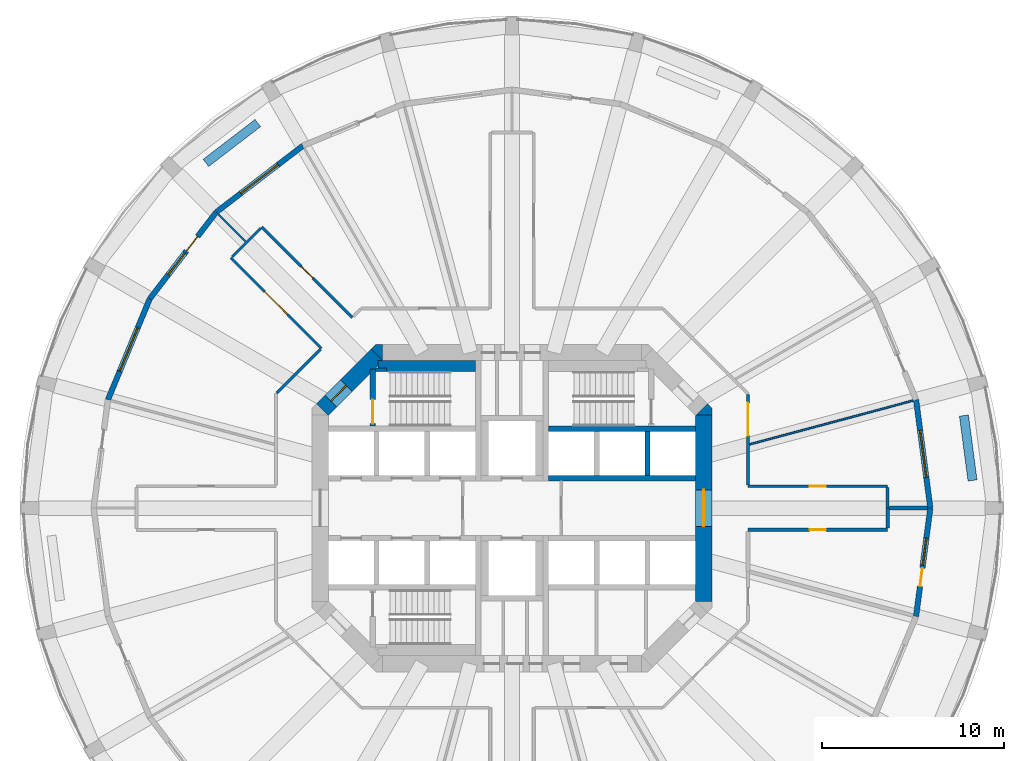
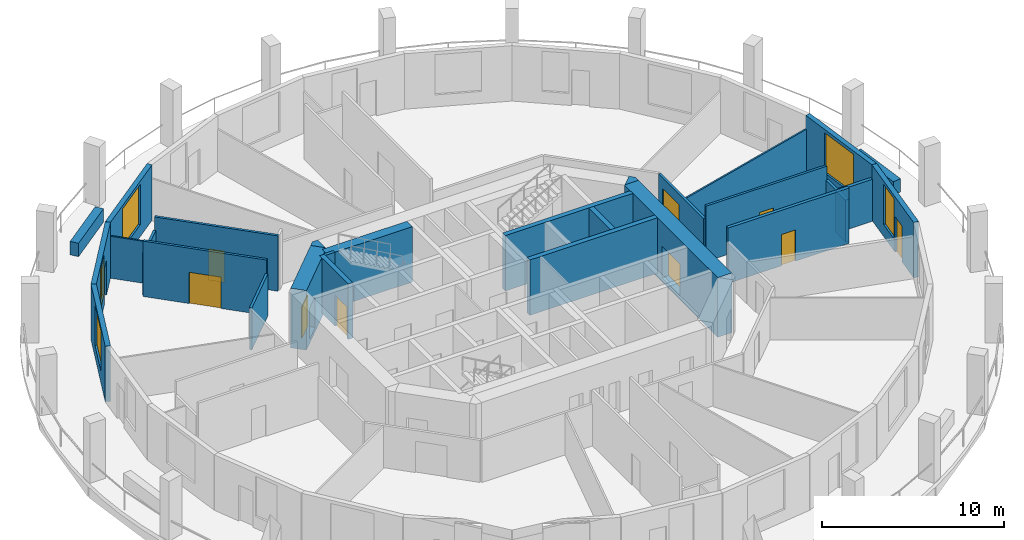
# One storey, part 5 of 9: 29 walls, 10 doors, 5 windows, 15 openings.
"""IFC4 building model written with IfcOpenShell, lengths in metres."""

from ifc_helpers import new_model, si_unit, direction, frame, frame_2d, origin, place, context, subcontext, project, spatial, polyline, rectangle, outline, extrude, material, layer, layer_set, type_object, element, fill, save


model = new_model("IFC4")

# Units and contexts
model_context = context("Model", 3, precision=1e-05, world=origin(), true_north=direction((0.0, 1.0)))
body_context = subcontext(model_context, "Body", "Model", "MODEL_VIEW")
ifc_project = project(units=[si_unit("LENGTHUNIT", "METRE"), si_unit("AREAUNIT", "SQUARE_METRE"), si_unit("VOLUMEUNIT", "CUBIC_METRE"), si_unit("PLANEANGLEUNIT", "RADIAN"), si_unit("MASSUNIT", "GRAM", prefix="KILO")], contexts=[model_context])

# Site, building, storey
site_placement = place(None, origin())
site = spatial("IfcSite", under=ifc_project, at=site_placement, CompositionType="ELEMENT")
building_placement = place(site_placement, origin())
building = spatial("IfcBuilding", under=site, at=building_placement, Name="Torre Triforio", CompositionType="ELEMENT")
storey_placement = place(building_placement, frame((0.0, 0.0, 75.0)))
storey = spatial("IfcBuildingStorey", under=building, at=storey_placement, Name="L16", CompositionType="ELEMENT", Elevation=75.0)

# Wall, opening, door
ifc_material_1 = material(Name="Concrete C60", Category="concrete")
ifc_layer_1 = layer(ifc_material_1, 0.89990234375)
ifc_layer_set_1 = layer_set([ifc_layer_1], Name="Concrete C60")
wall_type_1 = type_object("IfcWallType", Name="Core wall 900 mm C60 EI 120", PredefinedType="SHEAR", material=ifc_layer_set_1)
wall_1_placement = place(storey_placement, frame((10.550048828125, -5.1298828125, -0.280029296875), z_axis=(0.0, 0.0, 1.0), x_axis=(0.0, 1.0, 0.0)))
wall_1 = element("IfcWall", 1, at=wall_1_placement, inside=storey, type_object=wall_type_1, Name="Core wall", PredefinedType="SHEAR", context=body_context, shape_type="SweptSolid", body=[
    extrude(rectangle(XDim=10.259765625, YDim=0.89990234375, at=frame_2d((5.1298828125, 0.0))), origin(), (0.0, 0.0, 1.0), 4.0),
])
opening_1_placement = place(wall_1_placement, frame((4.1298828125, 0.0, 0.280029296875)))
opening_1 = element("IfcOpeningElement", 2, at=opening_1_placement, cuts=wall_1, Name="Opening E-RING", PredefinedType="OPENING", context=body_context, shape_type="SweptSolid", body=[
    extrude(rectangle(XDim=2.0, YDim=2.10009765625, at=frame_2d((1.0, 1.050048828125))), frame((0.0, 0.4599609375, 0.0), z_axis=(0.0, -1.0, 0.0), x_axis=(1.0, 0.0, 0.0)), (0.0, 0.0, 1.0), 0.919921875),
])
ifc_material_2 = material(Name="Hollow metal fire door leaf")
door_type_1 = type_object("IfcDoorType", Name="Lobby door 2000 x 2100 EI 60", OperationType="DOUBLE_DOOR_SINGLE_SWING", PredefinedType="DOOR", material=ifc_material_2)
door_1_placement = place(opening_1_placement, origin())
door_1 = element("IfcDoor", 3, at=door_1_placement, inside=storey, type_object=door_type_1, Name="Core door E-RING", OperationType="DOUBLE_DOOR_SINGLE_SWING", OverallHeight=2.10009765625, OverallWidth=2.0, PredefinedType="DOOR", context=body_context, shape_type="SweptSolid", body=[
    extrude(rectangle(XDim=2.0, YDim=2.10009765625, at=frame_2d((1.0, 1.050048828125))), frame((0.0, 0.02490234375, 0.0), z_axis=(0.0, -1.0, 0.0), x_axis=(1.0, 0.0, 0.0)), (0.0, 0.0, 1.0), 0.050048828125),
])
fill(opening_1, door_1)

wall_2_placement = place(storey_placement, frame((-10.418212890625, 5.418212890625, -0.280029296875), z_axis=(0.0, 0.0, 1.0), x_axis=(0.707106781187, 0.707106781187, 0.0)))
wall_2 = element("IfcWall", 4, at=wall_2_placement, inside=storey, type_object=wall_type_1, Name="Core wall", PredefinedType="SHEAR", context=body_context, shape_type="SweptSolid", body=[
    extrude(rectangle(XDim=4.24267578125, YDim=0.89990234375, at=frame_2d((2.121337890625, 0.0))), origin(), (0.0, 0.0, 1.0), 4.0),
])
opening_2_placement = place(wall_2_placement, frame((0.64990234375, 0.0, 0.280029296875)))
opening_2 = element("IfcOpeningElement", 5, at=opening_2_placement, cuts=wall_2, Name="Opening ST1-EXIT", PredefinedType="OPENING", context=body_context, shape_type="SweptSolid", body=[
    extrude(rectangle(XDim=1.199951171875, YDim=2.10009765625, at=frame_2d((0.60009765625, 1.050048828125))), frame((0.0, 0.4599609375, 0.0), z_axis=(0.0, -1.0, 0.0), x_axis=(1.0, 0.0, 0.0)), (0.0, 0.0, 1.0), 0.919921875),
])
door_type_2 = type_object("IfcDoorType", Name="Stair lobby door 1200 x 2100 EI 60", OperationType="NOTDEFINED", PredefinedType="DOOR", material=ifc_material_2)
door_2_placement = place(opening_2_placement, origin())
door_2 = element("IfcDoor", 6, at=door_2_placement, inside=storey, type_object=door_type_2, Name="Core door ST1-EXIT", OperationType="SINGLE_SWING_RIGHT", OverallHeight=2.10009765625, OverallWidth=1.199951171875, PredefinedType="DOOR", context=body_context, shape_type="SweptSolid", body=[
    extrude(rectangle(XDim=1.199951171875, YDim=2.10009765625, at=frame_2d((0.60009765625, 1.050048828125))), frame((0.0, 0.02490234375, 0.0), z_axis=(0.0, -1.0, 0.0), x_axis=(1.0, 0.0, 0.0)), (0.0, 0.0, 1.0), 0.050048828125),
])
fill(opening_2, door_2)

# Walls
wall_3_placement = place(storey_placement, frame((0.0, 0.0, -0.280029296875)))
element("IfcWall", 7, at=wall_3_placement, inside=storey, type_object=wall_type_1, Name="Core wall", PredefinedType="SHEAR", context=body_context, shape_type="SweptSolid", body=[
    extrude(outline(polyline([(11.0, 5.472900390625), (11.0, 5.1298828125), (10.1298828125, 5.1298828125), (10.736328125, 5.736328125), (11.0, 5.472900390625)])), origin(), (0.0, 0.0, 1.0), 4.0),
])
wall_4_placement = place(storey_placement, frame((0.0, 0.0, -0.280029296875)))
element("IfcWall", 8, at=wall_4_placement, inside=storey, type_object=wall_type_1, Name="Core wall", PredefinedType="SHEAR", context=body_context, shape_type="SweptSolid", body=[
    extrude(outline(polyline([(-7.472900390625, 9.0), (-7.1298828125, 9.0), (-7.1298828125, 8.1298828125), (-7.736328125, 8.736328125), (-7.472900390625, 9.0)])), origin(), (0.0, 0.0, 1.0), 4.0),
])
ifc_material_3 = material(Name="Plasterboard on metal studs")
ifc_layer_2 = layer(ifc_material_3, 0.14990234375)
ifc_layer_set_2 = layer_set([ifc_layer_2], Name="Plasterboard on metal studs")
wall_type_2 = type_object("IfcWallType", Name="Corridor and tenancy wall 150 mm EI 60", PredefinedType="PARTITIONING", material=ifc_layer_set_2)
wall_5_placement = place(storey_placement, frame((-12.93798828125, 6.327880859375, 0.0), z_axis=(0.0, 0.0, 1.0), x_axis=(0.707106781187, 0.707106781187, 0.0)))
element("IfcWall", 9, at=wall_5_placement, inside=storey, type_object=wall_type_2, Name="Partition 7", PredefinedType="PARTITIONING", context=body_context, shape_type="SweptSolid", body=[
    extrude(rectangle(XDim=3.399169921875, YDim=0.14990234375, at=frame_2d((1.69970703125, 0.0))), origin(), (0.0, 0.0, 1.0), 2.820068359375),
])

# Wall, opening, door
wall_6_placement = place(storey_placement, frame((-10.4814453125, 8.784423828125, 0.0), z_axis=(0.0, 0.0, 1.0), x_axis=(-0.707124155885, 0.707089406061, 0.0)))
wall_6 = element("IfcWall", 10, at=wall_6_placement, inside=storey, type_object=wall_type_2, Name="Partition 8", PredefinedType="PARTITIONING", context=body_context, shape_type="SweptSolid", body=[
    extrude(rectangle(XDim=7.025634765625, YDim=0.14990234375, at=frame_2d((3.5126953125, 0.0))), origin(), (0.0, 0.0, 1.0), 3.719970703125),
])
opening_3_placement = place(wall_6_placement, frame((2.61279296875, 0.0, 0.0)))
opening_3 = element("IfcOpeningElement", 11, at=opening_3_placement, cuts=wall_6, Name="Opening N5-05", PredefinedType="OPENING", context=body_context, shape_type="SweptSolid", body=[
    extrude(rectangle(XDim=1.800048828125, YDim=2.10009765625, at=frame_2d((0.89990234375, 1.050048828125))), frame((0.0, 0.0849609375, 0.0), z_axis=(0.0, -1.0, 0.0), x_axis=(1.0, 0.0, 0.0)), (0.0, 0.0, 1.0), 0.169921875),
])
ifc_material_4 = material(Name="Timber", Category="wood")
door_type_3 = type_object("IfcDoorType", Name="Door 1800 x 2100 double leaf EI 30", OperationType="DOUBLE_DOOR_SINGLE_SWING", PredefinedType="DOOR", material=ifc_material_4)
door_3_placement = place(opening_3_placement, origin())
door_3 = element("IfcDoor", 12, at=door_3_placement, inside=storey, type_object=door_type_3, Name="Door N5-05", OperationType="DOUBLE_DOOR_SINGLE_SWING", OverallHeight=2.10009765625, OverallWidth=1.800048828125, PredefinedType="DOOR", context=body_context, shape_type="SweptSolid", body=[
    extrude(rectangle(XDim=1.800048828125, YDim=2.10009765625, at=frame_2d((0.89990234375, 1.050048828125))), frame((0.0, 0.02490234375, 0.0), z_axis=(0.0, -1.0, 0.0), x_axis=(1.0, 0.0, 0.0)), (0.0, 0.0, 1.0), 0.050048828125),
])
fill(opening_3, door_3)

# Wall
wall_7_placement = place(storey_placement, frame((-15.396240234375, 13.805419921875, 0.0), z_axis=(0.0, 0.0, 1.0), x_axis=(0.707106781187, 0.707106781187, 0.0)))
element("IfcWall", 13, at=wall_7_placement, inside=storey, type_object=wall_type_2, Name="Partition 9", PredefinedType="PARTITIONING", context=body_context, shape_type="SweptSolid", body=[
    extrude(rectangle(XDim=2.249755859375, YDim=0.14990234375, at=frame_2d((1.125, 0.0))), origin(), (0.0, 0.0, 1.0), 2.820068359375),
])

# Wall, opening, door
wall_8_placement = place(storey_placement, frame((-13.752197265625, 15.449462890625, 0.0), z_axis=(0.0, 0.0, 1.0), x_axis=(0.707089406061, -0.707124155885, 0.0)))
wall_8 = element("IfcWall", 14, at=wall_8_placement, inside=storey, type_object=wall_type_2, Name="Partition 10", PredefinedType="PARTITIONING", context=body_context, shape_type="SweptSolid", body=[
    extrude(rectangle(XDim=7.025634765625, YDim=0.14990234375, at=frame_2d((3.5126953125, 0.0))), origin(), (0.0, 0.0, 1.0), 3.719970703125),
])
opening_4_placement = place(wall_8_placement, frame((3.062744140625, 0.0, 0.0)))
opening_4 = element("IfcOpeningElement", 15, at=opening_4_placement, cuts=wall_8, Name="Opening N5-04", PredefinedType="OPENING", context=body_context, shape_type="SweptSolid", body=[
    extrude(rectangle(XDim=0.89990234375, YDim=2.10009765625, at=frame_2d((0.449951171875, 1.050048828125))), frame((0.0, 0.0849609375, 0.0), z_axis=(0.0, -1.0, 0.0), x_axis=(1.0, 0.0, 0.0)), (0.0, 0.0, 1.0), 0.169921875),
])
door_type_4 = type_object("IfcDoorType", Name="Door 900 x 2100 single leaf EI 30", OperationType="NOTDEFINED", PredefinedType="DOOR", material=ifc_material_4)
door_4_placement = place(opening_4_placement, origin())
door_4 = element("IfcDoor", 16, at=door_4_placement, inside=storey, type_object=door_type_4, Name="Door N5-04", OperationType="SINGLE_SWING_LEFT", OverallHeight=2.10009765625, OverallWidth=0.89990234375, PredefinedType="DOOR", context=body_context, shape_type="SweptSolid", body=[
    extrude(rectangle(XDim=0.89990234375, YDim=2.10009765625, at=frame_2d((0.449951171875, 1.050048828125))), frame((0.0, 0.02490234375, 0.0), z_axis=(0.0, -1.0, 0.0), x_axis=(1.0, 0.0, 0.0)), (0.0, 0.0, 1.0), 0.050048828125),
])
fill(opening_4, door_4)

wall_9_placement = place(storey_placement, frame((12.97509765625, 6.23828125, 0.0), z_axis=(0.0, 0.0, 1.0), x_axis=(0.0, -1.0, 0.0)))
wall_9 = element("IfcWall", 17, at=wall_9_placement, inside=storey, type_object=wall_type_2, Name="Partition 18", PredefinedType="PARTITIONING", context=body_context, shape_type="SweptSolid", body=[
    extrude(rectangle(XDim=4.96337890625, YDim=0.14990234375, at=frame_2d((2.481689453125, 0.0))), origin(), (0.0, 0.0, 1.0), 2.820068359375),
])
opening_5_placement = place(wall_9_placement, frame((0.455810546875, 0.0, 0.0)))
opening_5 = element("IfcOpeningElement", 18, at=opening_5_placement, cuts=wall_9, Name="Opening N5-16", PredefinedType="OPENING", context=body_context, shape_type="SweptSolid", body=[
    extrude(rectangle(XDim=1.800048828125, YDim=2.10009765625, at=frame_2d((0.89990234375, 1.050048828125))), frame((0.0, 0.0849609375, 0.0), z_axis=(0.0, -1.0, 0.0), x_axis=(1.0, 0.0, 0.0)), (0.0, 0.0, 1.0), 0.169921875),
])
door_5_placement = place(opening_5_placement, origin())
door_5 = element("IfcDoor", 19, at=door_5_placement, inside=storey, type_object=door_type_3, Name="Door N5-16", OperationType="DOUBLE_DOOR_SINGLE_SWING", OverallHeight=2.10009765625, OverallWidth=1.800048828125, PredefinedType="DOOR", context=body_context, shape_type="SweptSolid", body=[
    extrude(rectangle(XDim=1.800048828125, YDim=2.10009765625, at=frame_2d((0.89990234375, 1.050048828125))), frame((0.0, 0.02490234375, 0.0), z_axis=(0.0, -1.0, 0.0), x_axis=(1.0, 0.0, 0.0)), (0.0, 0.0, 1.0), 0.050048828125),
])
fill(opening_5, door_5)

wall_10_placement = place(storey_placement, frame((12.97509765625, 1.199951171875, 0.0), z_axis=(0.0, 0.0, 1.0), x_axis=(1.0, 0.0, 0.0)))
wall_10 = element("IfcWall", 20, at=wall_10_placement, inside=storey, type_object=wall_type_2, Name="Partition 19", PredefinedType="PARTITIONING", context=body_context, shape_type="SweptSolid", body=[
    extrude(rectangle(XDim=7.673583984375, YDim=0.14990234375, at=frame_2d((3.8369140625, 0.0))), origin(), (0.0, 0.0, 1.0), 3.719970703125),
])
opening_6_placement = place(wall_10_placement, frame((3.386962890625, 0.0, 0.0)))
opening_6 = element("IfcOpeningElement", 21, at=opening_6_placement, cuts=wall_10, Name="Opening N5-15", PredefinedType="OPENING", context=body_context, shape_type="SweptSolid", body=[
    extrude(rectangle(XDim=0.89990234375, YDim=2.10009765625, at=frame_2d((0.449951171875, 1.050048828125))), frame((0.0, 0.0849609375, 0.0), z_axis=(0.0, -1.0, 0.0), x_axis=(1.0, 0.0, 0.0)), (0.0, 0.0, 1.0), 0.169921875),
])
door_6_placement = place(opening_6_placement, origin())
door_6 = element("IfcDoor", 22, at=door_6_placement, inside=storey, type_object=door_type_4, Name="Door N5-15", OperationType="SINGLE_SWING_RIGHT", OverallHeight=2.10009765625, OverallWidth=0.89990234375, PredefinedType="DOOR", context=body_context, shape_type="SweptSolid", body=[
    extrude(rectangle(XDim=0.89990234375, YDim=2.10009765625, at=frame_2d((0.449951171875, 1.050048828125))), frame((0.0, 0.02490234375, 0.0), z_axis=(0.0, -1.0, 0.0), x_axis=(1.0, 0.0, 0.0)), (0.0, 0.0, 1.0), 0.050048828125),
])
fill(opening_6, door_6)

# Walls
wall_11_placement = place(storey_placement, frame((20.648681640625, 1.125, 0.0), z_axis=(0.0, 0.0, 1.0), x_axis=(0.0, -1.0, 0.0)))
element("IfcWall", 23, at=wall_11_placement, inside=storey, type_object=wall_type_2, Name="Partition 20", PredefinedType="PARTITIONING", context=body_context, shape_type="SweptSolid", body=[
    extrude(rectangle(XDim=1.125, YDim=0.14990234375, at=frame_2d((0.5625, 0.0))), origin(), (0.0, 0.0, 1.0), 2.820068359375),
])
ifc_layer_3 = layer(ifc_material_3, 0.10009765625)
ifc_layer_set_3 = layer_set([ifc_layer_3], Name="Plasterboard on metal studs")
wall_type_3 = type_object("IfcWallType", Name="Partition 100 mm board on metal studs", PredefinedType="PARTITIONING", material=ifc_layer_set_3)
wall_12_placement = place(storey_placement, frame((13.064208984375, 3.50048828125, 0.0), z_axis=(0.0, 0.0, 1.0), x_axis=(0.965922655056, 0.258830880017, 0.0)))
element("IfcWall", 24, at=wall_12_placement, inside=storey, type_object=wall_type_3, Name="Partition 32", PredefinedType="PARTITIONING", context=body_context, shape_type="SweptSolid", body=[
    extrude(rectangle(XDim=9.311767578125, YDim=0.10009765625, at=frame_2d((4.65576171875, 0.0))), origin(), (0.0, 0.0, 1.0), 2.820068359375),
])
wall_13_placement = place(storey_placement, frame((-14.65380859375, 14.65380859375, 0.0), z_axis=(0.0, 0.0, 1.0), x_axis=(-0.707106781187, 0.707106781187, 0.0)))
element("IfcWall", 25, at=wall_13_placement, inside=storey, type_object=wall_type_3, Name="Partition 37", PredefinedType="PARTITIONING", context=body_context, shape_type="SweptSolid", body=[
    extrude(rectangle(XDim=2.113037109375, YDim=0.10009765625, at=frame_2d((1.056640625, 0.0))), origin(), (0.0, 0.0, 1.0), 2.820068359375),
])
ifc_material_5 = material(Name="Masonry block", Category="masonry")
ifc_layer_4 = layer(ifc_material_5, 0.199951171875)
ifc_layer_set_4 = layer_set([ifc_layer_4], Name="Masonry block")
wall_type_4 = type_object("IfcWallType", Name="Plant room wall 200 mm block EI 120", PredefinedType="PARTITIONING", material=ifc_layer_set_4)
wall_14_placement = place(storey_placement, frame((20.648681640625, 0.0, 0.0), z_axis=(0.0, 0.0, 1.0), x_axis=(0.0, -1.0, 0.0)))
element("IfcWall", 26, at=wall_14_placement, inside=storey, type_object=wall_type_4, Name="Partition 21", PredefinedType="PARTITIONING", context=body_context, shape_type="SweptSolid", body=[
    extrude(rectangle(XDim=1.10009765625, YDim=0.199951171875, at=frame_2d((0.550048828125, 0.0))), origin(), (0.0, 0.0, 1.0), 2.820068359375),
])

# Wall, opening, door
wall_15_placement = place(storey_placement, frame((20.648681640625, -1.199951171875, 0.0), z_axis=(0.0, 0.0, 1.0), x_axis=(-1.0, 0.0, 0.0)))
wall_15 = element("IfcWall", 27, at=wall_15_placement, inside=storey, type_object=wall_type_4, Name="Partition 22", PredefinedType="PARTITIONING", context=body_context, shape_type="SweptSolid", body=[
    extrude(rectangle(XDim=7.673583984375, YDim=0.199951171875, at=frame_2d((3.8369140625, 0.0))), origin(), (0.0, 0.0, 1.0), 3.719970703125),
])
opening_7_placement = place(wall_15_placement, frame((3.386962890625, 0.0, 0.0)))
opening_7 = element("IfcOpeningElement", 28, at=opening_7_placement, cuts=wall_15, Name="Opening N5-14", PredefinedType="OPENING", context=body_context, shape_type="SweptSolid", body=[
    extrude(rectangle(XDim=0.89990234375, YDim=2.10009765625, at=frame_2d((0.449951171875, 1.050048828125))), frame((0.0, 0.10986328125, 0.0), z_axis=(0.0, -1.0, 0.0), x_axis=(1.0, 0.0, 0.0)), (0.0, 0.0, 1.0), 0.219970703125),
])
door_type_5 = type_object("IfcDoorType", Name="Door 900 x 2100 single leaf EI 60", OperationType="NOTDEFINED", PredefinedType="DOOR", material=ifc_material_2)
door_7_placement = place(opening_7_placement, origin())
door_7 = element("IfcDoor", 29, at=door_7_placement, inside=storey, type_object=door_type_5, Name="Door N5-14", OperationType="SINGLE_SWING_RIGHT", OverallHeight=2.10009765625, OverallWidth=0.89990234375, PredefinedType="DOOR", context=body_context, shape_type="SweptSolid", body=[
    extrude(rectangle(XDim=0.89990234375, YDim=2.10009765625, at=frame_2d((0.449951171875, 1.050048828125))), frame((0.0, 0.02490234375, 0.0), z_axis=(0.0, -1.0, 0.0), x_axis=(1.0, 0.0, 0.0)), (0.0, 0.0, 1.0), 0.050048828125),
])
fill(opening_7, door_7)

# Walls
wall_16_placement = place(storey_placement, frame((20.748779296875, 0.0, 0.0), z_axis=(0.0, 0.0, 1.0), x_axis=(1.0, 0.0, 0.0)))
element("IfcWall", 30, at=wall_16_placement, inside=storey, type_object=wall_type_4, Name="Partition 31", PredefinedType="PARTITIONING", context=body_context, shape_type="SweptSolid", body=[
    extrude(rectangle(XDim=2.087890625, YDim=0.199951171875, at=frame_2d((1.0439453125, 0.0))), origin(), (0.0, 0.0, 1.0), 2.820068359375),
])
ifc_material_6 = material(Name="Limestone cladding", Category="masonry")
ifc_layer_5 = layer(ifc_material_6, 0.10009765625)
ifc_material_7 = material(Name="Concrete C40", Category="concrete")
ifc_layer_6 = layer(ifc_material_7, 0.39990234375)
ifc_layer_set_5 = layer_set([ifc_layer_5, ifc_layer_6], Name="Limestone cladding / Concrete C40")
wall_type_5 = type_object("IfcWallType", Name="Planter wall 500", PredefinedType="PARAPET", material=ifc_layer_set_5)
wall_17_placement = place(storey_placement, frame((25.318603515625, 1.517578125, 0.0), z_axis=(0.0, 0.0, 1.0), x_axis=(-0.130542222659, 0.991442750795, 0.0)))
element("IfcWall", 31, at=wall_17_placement, inside=storey, type_object=wall_type_5, Name="Planter L16 bay 01", PredefinedType="PARAPET", context=body_context, shape_type="SweptSolid", body=[
    extrude(rectangle(XDim=3.60009765625, YDim=0.5, at=frame_2d((1.800048828125, 0.0))), origin(), (0.0, 0.0, 1.0), 0.89990234375),
])
wall_18_placement = place(storey_placement, frame((-13.9736328125, 21.16748046875, 0.0), z_axis=(0.0, 0.0, 1.0), x_axis=(-0.793359599829, -0.608753271334, 0.0)))
element("IfcWall", 32, at=wall_18_placement, inside=storey, type_object=wall_type_5, Name="Planter L16 bay 09", PredefinedType="PARAPET", context=body_context, shape_type="SweptSolid", body=[
    extrude(rectangle(XDim=3.599853515625, YDim=0.5, at=frame_2d((1.7998046875, 0.0))), origin(), (0.0, 0.0, 1.0), 0.89990234375),
])
ifc_layer_7 = layer(ifc_material_1, 0.300048828125)
ifc_layer_set_6 = layer_set([ifc_layer_7], Name="Concrete C60")
wall_type_6 = type_object("IfcWallType", Name="Shaft wall 300 mm C60 EI 120", PredefinedType="SOLIDWALL", material=ifc_layer_set_6)
for number, where, z_axis, x_axis, name in (
    (33, (2.0, 4.35009765625, 0.0), (0.0, 0.0, 1.0), (1.0, 0.0, 0.0), "Shaft wall"),
    (34, (2.0, 1.64990234375, 0.0), (0.0, 0.0, 1.0), (1.0, 0.0, 0.0), "Shaft wall"),
):
    element("IfcWall", number, at=place(storey_placement, frame(where, z_axis=z_axis, x_axis=x_axis)), inside=storey, type_object=wall_type_6, Name=name, PredefinedType="SOLIDWALL", context=body_context, shape_type="SweptSolid", body=[
        extrude(rectangle(XDim=8.10009765625, YDim=0.300048828125, at=frame_2d((4.050048828125, 0.0))), origin(), (0.0, 0.0, 1.0), 3.719970703125),
    ])
wall_19_placement = place(storey_placement, frame((7.449951171875, 1.800048828125, 0.0), z_axis=(0.0, 0.0, 1.0), x_axis=(0.0, 1.0, 0.0)))
element("IfcWall", 35, at=wall_19_placement, inside=storey, type_object=wall_type_6, Name="Shaft wall", PredefinedType="SOLIDWALL", context=body_context, shape_type="SweptSolid", body=[
    extrude(rectangle(XDim=2.39990234375, YDim=0.300048828125, at=frame_2d((1.199951171875, 0.0))), origin(), (0.0, 0.0, 1.0), 3.719970703125),
])
ifc_layer_8 = layer(ifc_material_1, 0.199951171875)
ifc_layer_set_7 = layer_set([ifc_layer_8], Name="Concrete C60")
wall_type_7 = type_object("IfcWallType", Name="Stair wall 200 mm C60 EI 120", PredefinedType="SHEAR", material=ifc_layer_set_7)
wall_20_placement = place(storey_placement, frame((-7.5, 7.60009765625, 0.0), z_axis=(0.0, 0.0, 1.0), x_axis=(1.0, 0.0, 0.0)))
element("IfcWall", 36, at=wall_20_placement, inside=storey, type_object=wall_type_7, Name="Stair wall", PredefinedType="SHEAR", context=body_context, shape_type="SweptSolid", body=[
    extrude(rectangle(XDim=0.60009765625, YDim=0.199951171875, at=frame_2d((0.300048828125, 0.0))), origin(), (0.0, 0.0, 1.0), 3.719970703125),
])

# Wall, opening, door
ifc_layer_9 = layer(ifc_material_1, 0.300048828125)
ifc_layer_set_8 = layer_set([ifc_layer_9], Name="Concrete C60")
wall_type_8 = type_object("IfcWallType", Name="Stair wall 300 mm C60 EI 120", PredefinedType="SHEAR", material=ifc_layer_set_8)
wall_21_placement = place(storey_placement, frame((-7.64990234375, 4.5, 0.0), z_axis=(0.0, 0.0, 1.0), x_axis=(0.0, 1.0, 0.0)))
wall_21 = element("IfcWall", 37, at=wall_21_placement, inside=storey, type_object=wall_type_8, Name="Stair wall", PredefinedType="SHEAR", context=body_context, shape_type="SweptSolid", body=[
    extrude(rectangle(XDim=3.139892578125, YDim=0.300048828125, at=frame_2d((1.56982421875, 0.0))), origin(), (0.0, 0.0, 1.0), 3.719970703125),
])
opening_8_placement = place(wall_21_placement, frame((0.139892578125, 0.0, 0.0)))
opening_8 = element("IfcOpeningElement", 38, at=opening_8_placement, cuts=wall_21, Name="Opening ST1-STA", PredefinedType="OPENING", context=body_context, shape_type="SweptSolid", body=[
    extrude(rectangle(XDim=1.320068359375, YDim=2.10009765625, at=frame_2d((0.66015625, 1.050048828125))), frame((0.0, 0.159912109375, 0.0), z_axis=(0.0, -1.0, 0.0), x_axis=(1.0, 0.0, 0.0)), (0.0, 0.0, 1.0), 0.320068359375),
])
door_type_6 = type_object("IfcDoorType", Name="Stair door 1320 x 2100 EI 90", OperationType="DOUBLE_DOOR_SINGLE_SWING", PredefinedType="DOOR", material=ifc_material_2)
door_8_placement = place(opening_8_placement, origin())
door_8 = element("IfcDoor", 39, at=door_8_placement, inside=storey, type_object=door_type_6, Name="Core door ST1-ST", OperationType="DOUBLE_DOOR_SINGLE_SWING", OverallHeight=2.10009765625, OverallWidth=1.320068359375, PredefinedType="DOOR", context=body_context, shape_type="SweptSolid", body=[
    extrude(rectangle(XDim=1.320068359375, YDim=2.10009765625, at=frame_2d((0.66015625, 1.050048828125))), frame((0.0, 0.02490234375, 0.0), z_axis=(0.0, -1.0, 0.0), x_axis=(1.0, 0.0, 0.0)), (0.0, 0.0, 1.0), 0.050048828125),
])
fill(opening_8, door_8)

# Wall
ifc_layer_10 = layer(ifc_material_1, 0.60009765625)
ifc_layer_set_9 = layer_set([ifc_layer_10], Name="Concrete C60")
wall_type_9 = type_object("IfcWallType", Name="Stair wall 600 mm C60 EI 120", PredefinedType="SHEAR", material=ifc_layer_set_9)
wall_22_placement = place(storey_placement, frame((-7.3701171875, 7.800048828125, 0.0), z_axis=(0.0, 0.0, 1.0), x_axis=(1.0, 0.0, 0.0)))
element("IfcWall", 40, at=wall_22_placement, inside=storey, type_object=wall_type_9, Name="Stair wall", PredefinedType="SHEAR", context=body_context, shape_type="SweptSolid", body=[
    extrude(rectangle(XDim=5.3701171875, YDim=0.60009765625, at=frame_2d((2.68505859375, 0.0))), origin(), (0.0, 0.0, 1.0), 3.719970703125),
])

# Wall, opening, window
ifc_layer_11 = layer(ifc_material_6, 0.10009765625)
ifc_layer_12 = layer(ifc_material_7, 0.199951171875)
ifc_layer_set_10 = layer_set([ifc_layer_11, ifc_layer_12], Name="Limestone cladding / Concrete C40")
wall_type_10 = type_object("IfcWallType", Name="Stone-faced composite wall 300", PredefinedType="STANDARD", material=ifc_layer_set_10)
wall_23_placement = place(storey_placement, frame((23.0, 0.0, 0.0), z_axis=(0.0, 0.0, 1.0), x_axis=(-0.130522880875, 0.991445297315, 0.0)))
wall_23 = element("IfcWall", 41, at=wall_23_placement, inside=storey, type_object=wall_type_10, Name="External wall L16 bay 01", PredefinedType="STANDARD", context=body_context, shape_type="SweptSolid", body=[
    extrude(rectangle(XDim=6.004150390625, YDim=0.300048828125, at=frame_2d((3.001953125, 0.0))), origin(), (0.0, 0.0, 1.0), 3.719970703125),
])
opening_9_placement = place(wall_23_placement, frame((1.7021484375, 0.0, 0.800048828125)))
opening_9 = element("IfcOpeningElement", 42, at=opening_9_placement, cuts=wall_23, Name="Opening N5-W01", PredefinedType="OPENING", context=body_context, shape_type="SweptSolid", body=[
    extrude(rectangle(XDim=2.60009765625, YDim=2.699951171875, at=frame_2d((1.300048828125, 1.35009765625))), frame((0.0, 0.159912109375, 0.0), z_axis=(0.0, -1.0, 0.0), x_axis=(1.0, 0.0, 0.0)), (0.0, 0.0, 1.0), 0.320068359375),
])
ifc_material_8 = material(Name="Aluminium frame with clear double glazing", Category="aluminium")
window_type_1 = type_object("IfcWindowType", Name="Punched window 2600 x 2700", PartitioningType="DOUBLE_PANEL_VERTICAL", PredefinedType="WINDOW", material=ifc_material_8)
window_1_placement = place(opening_9_placement, origin())
window_1 = element("IfcWindow", 43, at=window_1_placement, inside=storey, type_object=window_type_1, Name="Window EWN2 L16 bay 01", OverallHeight=2.699951171875, OverallWidth=2.60009765625, PartitioningType="SINGLE_PANEL", PredefinedType="WINDOW", context=body_context, shape_type="SweptSolid", body=[
    extrude(rectangle(XDim=2.60009765625, YDim=2.699951171875, at=frame_2d((1.300048828125, 1.35009765625))), frame((0.0, 0.030029296875, 0.0), z_axis=(0.0, -1.0, 0.0), x_axis=(1.0, 0.0, 0.0)), (0.0, 0.0, 1.0), 0.06005859375),
])
fill(opening_9, window_1)

wall_24_placement = place(storey_placement, frame((-11.5, 19.918701171875, 0.0), z_axis=(0.0, 0.0, 1.0), x_axis=(-0.793339924758, -0.608778912074, 0.0)))
wall_24 = element("IfcWall", 44, at=wall_24_placement, inside=storey, type_object=wall_type_10, Name="External wall L16 bay 09", PredefinedType="STANDARD", context=body_context, shape_type="SweptSolid", body=[
    extrude(rectangle(XDim=6.004150390625, YDim=0.300048828125, at=frame_2d((3.001953125, 0.0))), origin(), (0.0, 0.0, 1.0), 3.719970703125),
])
opening_10_placement = place(wall_24_placement, frame((1.7021484375, 0.0, 0.800048828125)))
opening_10 = element("IfcOpeningElement", 45, at=opening_10_placement, cuts=wall_24, Name="Opening N5-W09", PredefinedType="OPENING", context=body_context, shape_type="SweptSolid", body=[
    extrude(rectangle(XDim=2.60009765625, YDim=2.699951171875, at=frame_2d((1.300048828125, 1.35009765625))), frame((0.0, 0.159912109375, 0.0), z_axis=(0.0, -1.0, 0.0), x_axis=(1.0, 0.0, 0.0)), (0.0, 0.0, 1.0), 0.320068359375),
])
window_2_placement = place(opening_10_placement, origin())
window_2 = element("IfcWindow", 46, at=window_2_placement, inside=storey, type_object=window_type_1, Name="Window EWN2 L16 bay 09", OverallHeight=2.699951171875, OverallWidth=2.60009765625, PartitioningType="SINGLE_PANEL", PredefinedType="WINDOW", context=body_context, shape_type="SweptSolid", body=[
    extrude(rectangle(XDim=2.60009765625, YDim=2.699951171875, at=frame_2d((1.300048828125, 1.35009765625))), frame((0.0, 0.030029296875, 0.0), z_axis=(0.0, -1.0, 0.0), x_axis=(1.0, 0.0, 0.0)), (0.0, 0.0, 1.0), 0.06005859375),
])
fill(opening_10, window_2)

# Wall, openings, door, window
wall_25_placement = place(storey_placement, frame((-16.263427734375, 16.263427734375, 0.0), z_axis=(0.0, 0.0, 1.0), x_axis=(-0.608778912074, -0.793339924758, 0.0)))
wall_25 = element("IfcWall", 47, at=wall_25_placement, inside=storey, type_object=wall_type_10, Name="External wall L16 bay 10", PredefinedType="STANDARD", context=body_context, shape_type="SweptSolid", body=[
    extrude(rectangle(XDim=6.004150390625, YDim=0.300048828125, at=frame_2d((3.001953125, 0.0))), origin(), (0.0, 0.0, 1.0), 3.719970703125),
])
opening_11_placement = place(wall_25_placement, frame((1.677001953125, 0.0, 0.0)))
opening_11 = element("IfcOpeningElement", 48, at=opening_11_placement, cuts=wall_25, Name="Opening N5-D10", PredefinedType="OPENING", context=body_context, shape_type="SweptSolid", body=[
    extrude(rectangle(XDim=1.0, YDim=2.39990234375, at=frame_2d((0.5, 1.199951171875))), frame((0.0, 0.159912109375, 0.0), z_axis=(0.0, -1.0, 0.0), x_axis=(1.0, 0.0, 0.0)), (0.0, 0.0, 1.0), 0.320068359375),
])
opening_12_placement = place(wall_25_placement, frame((2.8271484375, 0.0, 0.800048828125)))
opening_12 = element("IfcOpeningElement", 49, at=opening_12_placement, cuts=wall_25, Name="Opening N5-W10A", PredefinedType="OPENING", context=body_context, shape_type="SweptSolid", body=[
    extrude(rectangle(XDim=1.5, YDim=2.699951171875, at=frame_2d((0.75, 1.35009765625))), frame((0.0, 0.159912109375, 0.0), z_axis=(0.0, -1.0, 0.0), x_axis=(1.0, 0.0, 0.0)), (0.0, 0.0, 1.0), 0.320068359375),
])
door_type_7 = type_object("IfcDoorType", Name="Loggia door 1000 x 2400", OperationType="NOTDEFINED", PredefinedType="DOOR", material=ifc_material_8)
door_9_placement = place(opening_11_placement, origin())
door_9 = element("IfcDoor", 50, at=door_9_placement, inside=storey, type_object=door_type_7, Name="Loggia door L16 bay 10", OperationType="SINGLE_SWING_LEFT", OverallHeight=2.39990234375, OverallWidth=1.0, PredefinedType="DOOR", context=body_context, shape_type="SweptSolid", body=[
    extrude(rectangle(XDim=1.0, YDim=2.39990234375, at=frame_2d((0.5, 1.199951171875))), frame((0.0, 0.02490234375, 0.0), z_axis=(0.0, -1.0, 0.0), x_axis=(1.0, 0.0, 0.0)), (0.0, 0.0, 1.0), 0.050048828125),
])
fill(opening_11, door_9)
window_type_2 = type_object("IfcWindowType", Name="Side window 1500 x 2700", PartitioningType="SINGLE_PANEL", PredefinedType="WINDOW", material=ifc_material_8)
window_3_placement = place(opening_12_placement, origin())
window_3 = element("IfcWindow", 51, at=window_3_placement, inside=storey, type_object=window_type_2, Name="Side window EWN12 L16 bay 10", OverallHeight=2.699951171875, OverallWidth=1.5, PartitioningType="SINGLE_PANEL", PredefinedType="WINDOW", context=body_context, shape_type="SweptSolid", body=[
    extrude(rectangle(XDim=1.5, YDim=2.699951171875, at=frame_2d((0.75, 1.35009765625))), frame((0.0, 0.030029296875, 0.0), z_axis=(0.0, -1.0, 0.0), x_axis=(1.0, 0.0, 0.0)), (0.0, 0.0, 1.0), 0.06005859375),
])
fill(opening_12, window_3)

# Wall, opening, window
wall_26_placement = place(storey_placement, frame((-19.918701171875, 11.5, 0.0), z_axis=(0.0, 0.0, 1.0), x_axis=(-0.382671411433, -0.923884511653, 0.0)))
wall_26 = element("IfcWall", 52, at=wall_26_placement, inside=storey, type_object=wall_type_10, Name="External wall L16 bay 11", PredefinedType="STANDARD", context=body_context, shape_type="SweptSolid", body=[
    extrude(rectangle(XDim=6.004150390625, YDim=0.300048828125, at=frame_2d((3.001953125, 0.0))), origin(), (0.0, 0.0, 1.0), 3.719970703125),
])
opening_13_placement = place(wall_26_placement, frame((1.7021484375, 0.0, 0.800048828125)))
opening_13 = element("IfcOpeningElement", 53, at=opening_13_placement, cuts=wall_26, Name="Opening N5-W11", PredefinedType="OPENING", context=body_context, shape_type="SweptSolid", body=[
    extrude(rectangle(XDim=2.60009765625, YDim=2.699951171875, at=frame_2d((1.300048828125, 1.35009765625))), frame((0.0, 0.159912109375, 0.0), z_axis=(0.0, -1.0, 0.0), x_axis=(1.0, 0.0, 0.0)), (0.0, 0.0, 1.0), 0.320068359375),
])
window_4_placement = place(opening_13_placement, origin())
window_4 = element("IfcWindow", 54, at=window_4_placement, inside=storey, type_object=window_type_1, Name="Window EWN2 L16 bay 11", OverallHeight=2.699951171875, OverallWidth=2.60009765625, PartitioningType="SINGLE_PANEL", PredefinedType="WINDOW", context=body_context, shape_type="SweptSolid", body=[
    extrude(rectangle(XDim=2.60009765625, YDim=2.699951171875, at=frame_2d((1.300048828125, 1.35009765625))), frame((0.0, 0.030029296875, 0.0), z_axis=(0.0, -1.0, 0.0), x_axis=(1.0, 0.0, 0.0)), (0.0, 0.0, 1.0), 0.06005859375),
])
fill(opening_13, window_4)

# Wall, openings, door, window
wall_27_placement = place(storey_placement, frame((22.21630859375, -5.952880859375, 0.0), z_axis=(0.0, 0.0, 1.0), x_axis=(0.130522880875, 0.991445297315, 0.0)))
wall_27 = element("IfcWall", 55, at=wall_27_placement, inside=storey, type_object=wall_type_10, Name="External wall L16 bay 24", PredefinedType="STANDARD", context=body_context, shape_type="SweptSolid", body=[
    extrude(rectangle(XDim=6.004150390625, YDim=0.300048828125, at=frame_2d((3.001953125, 0.0))), origin(), (0.0, 0.0, 1.0), 3.719970703125),
])
opening_14_placement = place(wall_27_placement, frame((1.677001953125, 0.0, 0.0)))
opening_14 = element("IfcOpeningElement", 56, at=opening_14_placement, cuts=wall_27, Name="Opening N5-D24", PredefinedType="OPENING", context=body_context, shape_type="SweptSolid", body=[
    extrude(rectangle(XDim=1.0, YDim=2.39990234375, at=frame_2d((0.5, 1.199951171875))), frame((0.0, 0.159912109375, 0.0), z_axis=(0.0, -1.0, 0.0), x_axis=(1.0, 0.0, 0.0)), (0.0, 0.0, 1.0), 0.320068359375),
])
opening_15_placement = place(wall_27_placement, frame((2.8271484375, 0.0, 0.800048828125)))
opening_15 = element("IfcOpeningElement", 57, at=opening_15_placement, cuts=wall_27, Name="Opening N5-W24A", PredefinedType="OPENING", context=body_context, shape_type="SweptSolid", body=[
    extrude(rectangle(XDim=1.5, YDim=2.699951171875, at=frame_2d((0.75, 1.35009765625))), frame((0.0, 0.159912109375, 0.0), z_axis=(0.0, -1.0, 0.0), x_axis=(1.0, 0.0, 0.0)), (0.0, 0.0, 1.0), 0.320068359375),
])
door_10_placement = place(opening_14_placement, origin())
door_10 = element("IfcDoor", 58, at=door_10_placement, inside=storey, type_object=door_type_7, Name="Loggia door L16 bay 24", OperationType="SINGLE_SWING_LEFT", OverallHeight=2.39990234375, OverallWidth=1.0, PredefinedType="DOOR", context=body_context, shape_type="SweptSolid", body=[
    extrude(rectangle(XDim=1.0, YDim=2.39990234375, at=frame_2d((0.5, 1.199951171875))), frame((0.0, 0.02490234375, 0.0), z_axis=(0.0, -1.0, 0.0), x_axis=(1.0, 0.0, 0.0)), (0.0, 0.0, 1.0), 0.050048828125),
])
fill(opening_14, door_10)
window_5_placement = place(opening_15_placement, origin())
window_5 = element("IfcWindow", 59, at=window_5_placement, inside=storey, type_object=window_type_2, Name="Side window EWN12 L16 bay 24", OverallHeight=2.699951171875, OverallWidth=1.5, PartitioningType="SINGLE_PANEL", PredefinedType="WINDOW", context=body_context, shape_type="SweptSolid", body=[
    extrude(rectangle(XDim=1.5, YDim=2.699951171875, at=frame_2d((0.75, 1.35009765625))), frame((0.0, 0.030029296875, 0.0), z_axis=(0.0, -1.0, 0.0), x_axis=(1.0, 0.0, 0.0)), (0.0, 0.0, 1.0), 0.06005859375),
])
fill(opening_15, window_5)

save(model, "model.ifc")
